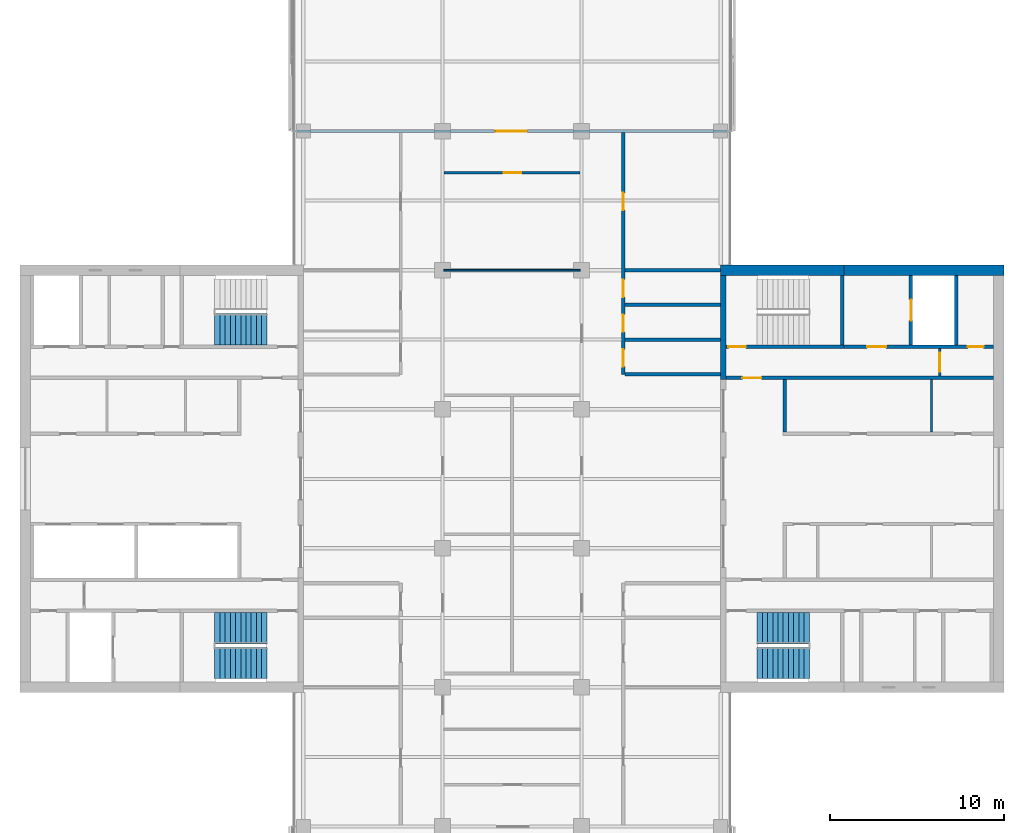
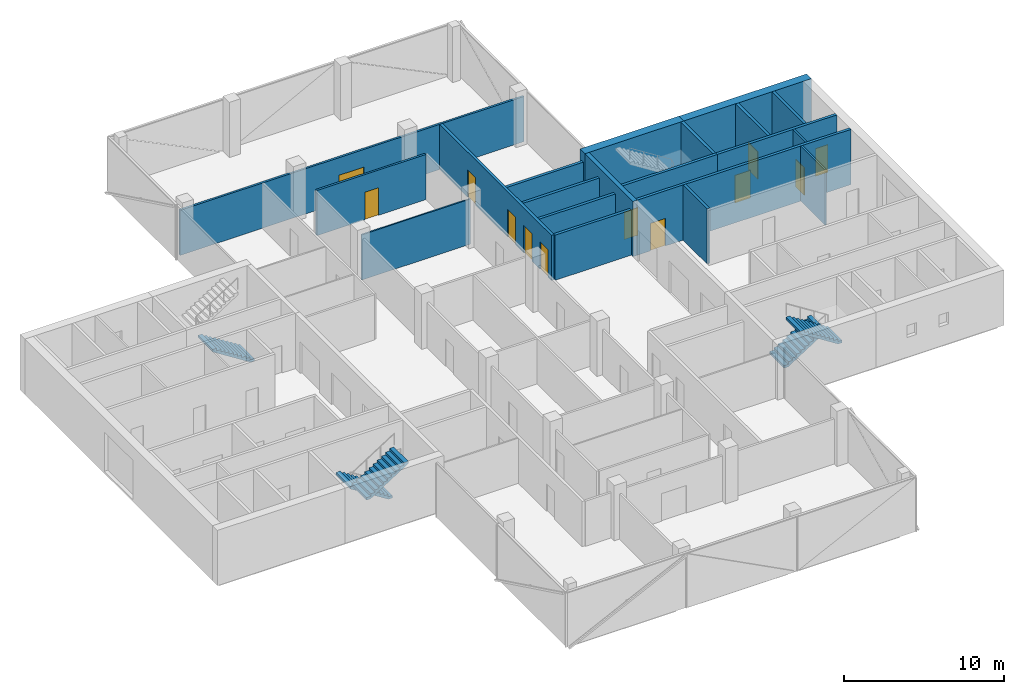
# One storey, part 12 of 16: 20 walls, 12 doors, 5 stair flights, 12 openings, 3 elements without a shape of their own.
"""IFC4 building model written with IfcOpenShell, lengths in metres."""

from ifc_helpers import new_model, si_unit, direction, frame, frame_2d, origin, place, context, subcontext, project, spatial, polyline, rectangle, outline, extrude, material, layer, layer_set, constituent, constituent_set, type_object, element, fill, aggregate, save


model = new_model("IFC4")

# Units and contexts
model_context = context("Model", 3, precision=1e-05, world=origin(), true_north=direction((0.0, 1.0)))
body_context = subcontext(model_context, "Body", "Model", "MODEL_VIEW")
ifc_project = project(units=[si_unit("LENGTHUNIT", "METRE"), si_unit("AREAUNIT", "SQUARE_METRE"), si_unit("VOLUMEUNIT", "CUBIC_METRE"), si_unit("PLANEANGLEUNIT", "RADIAN"), si_unit("MASSUNIT", "GRAM", prefix="KILO")], contexts=[model_context])

# Site, building, storey
site_placement = place(None, origin())
site = spatial("IfcSite", under=ifc_project, at=site_placement, CompositionType="ELEMENT")
building_placement = place(site_placement, origin())
building = spatial("IfcBuilding", under=site, at=building_placement, Name="Crosswind Convention Tower", CompositionType="ELEMENT")
storey_placement = place(building_placement, frame((0.0, 0.0, 216.699951171875)))
storey = spatial("IfcBuildingStorey", under=building, at=storey_placement, Name="L46", CompositionType="ELEMENT", Elevation=216.699951171875)

# Wall, openings, doors
ifc_material_1 = material(Name="Concrete blockwork", Category="masonry")
ifc_layer_1 = layer(ifc_material_1, 0.199951171875)
ifc_layer_set_1 = layer_set([ifc_layer_1], Name="COMPARTMENT WALL 200 BLOCKWORK")
wall_type_1 = type_object("IfcWallType", Name="COMPARTMENT WALL 200 BLOCKWORK", PredefinedType="SOLIDWALL", material=ifc_layer_set_1)
wall_1_placement = place(storey_placement, frame((131.39990234375, 106.0, 0.0), z_axis=(0.0, 0.0, 1.0), x_axis=(0.0, 1.0, 0.0)))
wall_1 = element("IfcWall", 1, at=wall_1_placement, inside=storey, type_object=wall_type_1, Name="Compartment wall WT42", PredefinedType="SOLIDWALL", context=body_context, shape_type="SweptSolid", body=[
    extrude(rectangle(XDim=13.925048828125, YDim=0.199951171875, at=frame_2d((6.96240234375, 0.0))), origin(), (0.0, 0.0, 1.0), 3.43994140625),
])
opening_1_placement = place(wall_1_placement, frame((0.449951171875, 0.0, 0.0)))
opening_1 = element("IfcOpeningElement", 2, at=opening_1_placement, cuts=wall_1, Name="Opening L46-50", PredefinedType="OPENING", context=body_context, shape_type="SweptSolid", body=[
    extrude(rectangle(XDim=1.0, YDim=2.10009765625, at=frame_2d((0.5, 1.050048828125))), frame((0.0, 0.10986328125, 0.0), z_axis=(0.0, -1.0, 0.0), x_axis=(1.0, 0.0, 0.0)), (0.0, 0.0, 1.0), 0.219970703125),
])
opening_2_placement = place(wall_1_placement, frame((2.449951171875, 0.0, 0.0)))
opening_2 = element("IfcOpeningElement", 3, at=opening_2_placement, cuts=wall_1, Name="Opening L46-51", PredefinedType="OPENING", context=body_context, shape_type="SweptSolid", body=[
    extrude(rectangle(XDim=1.0, YDim=2.10009765625, at=frame_2d((0.5, 1.050048828125))), frame((0.0, 0.10986328125, 0.0), z_axis=(0.0, -1.0, 0.0), x_axis=(1.0, 0.0, 0.0)), (0.0, 0.0, 1.0), 0.219970703125),
])
opening_3_placement = place(wall_1_placement, frame((4.449951171875, 0.0, 0.0)))
opening_3 = element("IfcOpeningElement", 4, at=opening_3_placement, cuts=wall_1, Name="Opening L46-52", PredefinedType="OPENING", context=body_context, shape_type="SweptSolid", body=[
    extrude(rectangle(XDim=1.0, YDim=2.10009765625, at=frame_2d((0.5, 1.050048828125))), frame((0.0, 0.10986328125, 0.0), z_axis=(0.0, -1.0, 0.0), x_axis=(1.0, 0.0, 0.0)), (0.0, 0.0, 1.0), 0.219970703125),
])
opening_4_placement = place(wall_1_placement, frame((9.449951171875, 0.0, 0.0)))
opening_4 = element("IfcOpeningElement", 5, at=opening_4_placement, cuts=wall_1, Name="Opening L46-53", PredefinedType="OPENING", context=body_context, shape_type="SweptSolid", body=[
    extrude(rectangle(XDim=1.0, YDim=2.10009765625, at=frame_2d((0.5, 1.050048828125))), frame((0.0, 0.10986328125, 0.0), z_axis=(0.0, -1.0, 0.0), x_axis=(1.0, 0.0, 0.0)), (0.0, 0.0, 1.0), 0.219970703125),
])
ifc_material_2 = material(Name="Steel fire door", Category="steel")
door_type_1 = type_object("IfcDoorType", Name="PLANT ROOM DOOR 1000X2100 FD60", OperationType="NOTDEFINED", PredefinedType="DOOR", material=ifc_material_2)
door_1_placement = place(opening_1_placement, frame((1.0, 0.0, 0.0), z_axis=(0.0, 0.0, 1.0), x_axis=(-1.0, 0.0, 0.0)))
door_1 = element("IfcDoor", 6, at=door_1_placement, inside=storey, type_object=door_type_1, Name="Door L46-50", ObjectType="D43", OperationType="SINGLE_SWING_RIGHT", OverallHeight=2.10009765625, OverallWidth=1.0, PredefinedType="DOOR", context=body_context, shape_type="SweptSolid", body=[
    extrude(rectangle(XDim=1.0, YDim=2.10009765625, at=frame_2d((0.5, 1.050048828125))), frame((0.0, 0.02490234375, 0.0), z_axis=(0.0, -1.0, 0.0), x_axis=(1.0, 0.0, 0.0)), (0.0, 0.0, 1.0), 0.050048828125),
])
fill(opening_1, door_1)
door_2_placement = place(opening_3_placement, frame((1.0, 0.0, 0.0), z_axis=(0.0, 0.0, 1.0), x_axis=(-1.0, 0.0, 0.0)))
door_2 = element("IfcDoor", 7, at=door_2_placement, inside=storey, type_object=door_type_1, Name="Door L46-52", ObjectType="D43", OperationType="SINGLE_SWING_RIGHT", OverallHeight=2.10009765625, OverallWidth=1.0, PredefinedType="DOOR", context=body_context, shape_type="SweptSolid", body=[
    extrude(rectangle(XDim=1.0, YDim=2.10009765625, at=frame_2d((0.5, 1.050048828125))), frame((0.0, 0.02490234375, 0.0), z_axis=(0.0, -1.0, 0.0), x_axis=(1.0, 0.0, 0.0)), (0.0, 0.0, 1.0), 0.050048828125),
])
fill(opening_3, door_2)
ifc_material_3 = material(Name="Timber fire door", Category="wood")
door_type_2 = type_object("IfcDoorType", Name="TENANCY ENTRANCE DOOR 1000X2100 FD30S", OperationType="NOTDEFINED", PredefinedType="DOOR", material=ifc_material_3)
door_3_placement = place(opening_2_placement, frame((1.0, 0.0, 0.0), z_axis=(0.0, 0.0, 1.0), x_axis=(-1.0, 0.0, 0.0)))
door_3 = element("IfcDoor", 8, at=door_3_placement, inside=storey, type_object=door_type_2, Name="Door L46-51", ObjectType="D41", OperationType="SINGLE_SWING_RIGHT", OverallHeight=2.10009765625, OverallWidth=1.0, PredefinedType="DOOR", context=body_context, shape_type="SweptSolid", body=[
    extrude(rectangle(XDim=1.0, YDim=2.10009765625, at=frame_2d((0.5, 1.050048828125))), frame((0.0, 0.02490234375, 0.0), z_axis=(0.0, -1.0, 0.0), x_axis=(1.0, 0.0, 0.0)), (0.0, 0.0, 1.0), 0.050048828125),
])
fill(opening_2, door_3)
door_4_placement = place(opening_4_placement, frame((1.0, 0.0, 0.0), z_axis=(0.0, 0.0, 1.0), x_axis=(-1.0, 0.0, 0.0)))
door_4 = element("IfcDoor", 9, at=door_4_placement, inside=storey, type_object=door_type_2, Name="Door L46-53", ObjectType="D41", OperationType="SINGLE_SWING_RIGHT", OverallHeight=2.10009765625, OverallWidth=1.0, PredefinedType="DOOR", context=body_context, shape_type="SweptSolid", body=[
    extrude(rectangle(XDim=1.0, YDim=2.10009765625, at=frame_2d((0.5, 1.050048828125))), frame((0.0, 0.02490234375, 0.0), z_axis=(0.0, -1.0, 0.0), x_axis=(1.0, 0.0, 0.0)), (0.0, 0.0, 1.0), 0.050048828125),
])
fill(opening_4, door_4)

# Walls
for number, where, z_axis, x_axis, name in (
    (10, (131.5, 106.0, 0.0), (0.0, 0.0, 1.0), (1.0, 0.0, 0.0), "Compartment wall WT42"),
    (11, (131.5, 108.0, 0.0), (0.0, 0.0, 1.0), (1.0, 0.0, 0.0), "Compartment wall WT42"),
    (12, (131.5, 110.0, 0.0), (0.0, 0.0, 1.0), (1.0, 0.0, 0.0), "Compartment wall WT42"),
    (13, (131.5, 112.0, 0.0), (0.0, 0.0, 1.0), (1.0, 0.0, 0.0), "Compartment wall WT42"),
):
    element("IfcWall", number, at=place(storey_placement, frame(where, z_axis=z_axis, x_axis=x_axis)), inside=storey, type_object=wall_type_1, Name=name, PredefinedType="SOLIDWALL", context=body_context, shape_type="SweptSolid", body=[
        extrude(rectangle(XDim=5.5, YDim=0.199951171875, at=frame_2d((2.75, 0.0))), origin(), (0.0, 0.0, 1.0), 3.43994140625),
    ])
ifc_material_4 = material(Name="Concrete C50/60", Category="concrete")
ifc_layer_2 = layer(ifc_material_4, 0.300048828125)
ifc_layer_set_2 = layer_set([ifc_layer_2], Name="Concrete C50/60")
wall_type_2 = type_object("IfcWallType", Name="Concrete inner core wall 300", PredefinedType="SHEAR", material=ifc_layer_set_2)
wall_2_placement = place(storey_placement, frame((137.14990234375, 105.699951171875, 0.0), z_axis=(0.0, 0.0, 1.0), x_axis=(0.0, 1.0, 0.0)))
element("IfcWall", 14, at=wall_2_placement, inside=storey, type_object=wall_type_2, Name="Wall EP E L46", PredefinedType="SHEAR", context=body_context, shape_type="SweptSolid", body=[
    extrude(rectangle(XDim=6.0, YDim=0.300048828125, at=frame_2d((3.0, 0.0))), origin(), (0.0, 0.0, 1.0), 4.199951171875),
])
ifc_layer_3 = layer(ifc_material_4, 0.199951171875)
ifc_layer_set_3 = layer_set([ifc_layer_3], Name="Concrete C50/60")
wall_type_3 = type_object("IfcWallType", Name="Concrete shaft and stair wall 200", PredefinedType="SHEAR", material=ifc_layer_set_3)
wall_3_placement = place(storey_placement, frame((140.699951171875, 102.699951171875, 0.0), z_axis=(0.0, 0.0, 1.0), x_axis=(0.0, 1.0, 0.0)))
element("IfcWall", 15, at=wall_3_placement, inside=storey, type_object=wall_type_3, Name="Wall RPEND E L46", PredefinedType="SHEAR", context=body_context, shape_type="SweptSolid", body=[
    extrude(rectangle(XDim=3.0, YDim=0.199951171875, at=frame_2d((1.5, 0.0))), origin(), (0.0, 0.0, 1.0), 4.199951171875),
])

# Wall, opening, door
wall_4_placement = place(storey_placement, frame((137.300048828125, 105.800048828125, 0.0), z_axis=(0.0, 0.0, 1.0), x_axis=(1.0, 0.0, 0.0)))
wall_4 = element("IfcWall", 16, at=wall_4_placement, inside=storey, type_object=wall_type_3, Name="Wall HP E L46", PredefinedType="SHEAR", context=body_context, shape_type="SweptSolid", body=[
    extrude(rectangle(XDim=15.39990234375, YDim=0.199951171875, at=frame_2d((7.699951171875, 0.0))), origin(), (0.0, 0.0, 1.0), 4.199951171875),
])
opening_5_placement = place(wall_4_placement, frame((0.949951171875, 0.0, 0.0)))
opening_5 = element("IfcOpeningElement", 17, at=opening_5_placement, cuts=wall_4, Name="Opening D104", PredefinedType="OPENING", context=body_context, shape_type="SweptSolid", body=[
    extrude(rectangle(XDim=1.10009765625, YDim=2.10009765625, at=frame_2d((0.550048828125, 1.050048828125))), frame((0.0, 0.10986328125, 0.0), z_axis=(0.0, -1.0, 0.0), x_axis=(1.0, 0.0, 0.0)), (0.0, 0.0, 1.0), 0.219970703125),
])
door_type_3 = type_object("IfcDoorType", Name="Fire-rated single door 1100x2100", OperationType="NOTDEFINED", PredefinedType="DOOR", material=ifc_material_2)
door_5_placement = place(opening_5_placement, origin())
door_5 = element("IfcDoor", 18, at=door_5_placement, inside=storey, type_object=door_type_3, Name="Corridor door L46", ObjectType="D104", OperationType="SINGLE_SWING_LEFT", OverallHeight=2.10009765625, OverallWidth=1.10009765625, PredefinedType="DOOR", context=body_context, shape_type="SweptSolid", body=[
    extrude(rectangle(XDim=1.10009765625, YDim=2.10009765625, at=frame_2d((0.550048828125, 1.050048828125))), frame((0.0, 0.02490234375, 0.0), z_axis=(0.0, -1.0, 0.0), x_axis=(1.0, 0.0, 0.0)), (0.0, 0.0, 1.0), 0.050048828125),
])
fill(opening_5, door_5)

# Wall
wall_5_placement = place(storey_placement, frame((144.0, 107.699951171875, 0.0), z_axis=(0.0, 0.0, 1.0), x_axis=(0.0, 1.0, 0.0)))
element("IfcWall", 19, at=wall_5_placement, inside=storey, type_object=wall_type_3, Name="Wall PSE E L46", PredefinedType="SHEAR", context=body_context, shape_type="SweptSolid", body=[
    extrude(rectangle(XDim=4.0, YDim=0.199951171875, at=frame_2d((2.0, 0.0))), origin(), (0.0, 0.0, 1.0), 4.199951171875),
])

# Wall, opening, door
wall_6_placement = place(storey_placement, frame((147.949951171875, 107.699951171875, 0.0), z_axis=(0.0, 0.0, 1.0), x_axis=(0.0, 1.0, 0.0)))
wall_6 = element("IfcWall", 20, at=wall_6_placement, inside=storey, type_object=wall_type_3, Name="Wall PFLW E L46", PredefinedType="SHEAR", context=body_context, shape_type="SweptSolid", body=[
    extrude(rectangle(XDim=4.0, YDim=0.199951171875, at=frame_2d((2.0, 0.0))), origin(), (0.0, 0.0, 1.0), 4.199951171875),
])
opening_6_placement = place(wall_6_placement, frame((1.39990234375, 0.0, 0.0)))
opening_6 = element("IfcOpeningElement", 21, at=opening_6_placement, cuts=wall_6, Name="Opening LD1", PredefinedType="OPENING", context=body_context, shape_type="SweptSolid", body=[
    extrude(rectangle(XDim=1.199951171875, YDim=2.10009765625, at=frame_2d((0.60009765625, 1.050048828125))), frame((0.0, 0.10986328125, 0.0), z_axis=(0.0, -1.0, 0.0), x_axis=(1.0, 0.0, 0.0)), (0.0, 0.0, 1.0), 0.219970703125),
])
ifc_material_5 = material(Name="Stainless steel", Category="steel")
door_type_4 = type_object("IfcDoorType", Name="Lift landing door 1200x2100", OperationType="DOUBLE_DOOR_SLIDING", PredefinedType="DOOR", material=ifc_material_5)
door_6_placement = place(opening_6_placement, origin())
door_6 = element("IfcDoor", 22, at=door_6_placement, inside=storey, type_object=door_type_4, Name="Landing door FF1 L46", ObjectType="LD1", OperationType="DOUBLE_DOOR_SLIDING", OverallHeight=2.10009765625, OverallWidth=1.199951171875, PredefinedType="DOOR", context=body_context, shape_type="SweptSolid", body=[
    extrude(rectangle(XDim=1.199951171875, YDim=2.10009765625, at=frame_2d((0.60009765625, 1.050048828125))), frame((0.0, 0.02490234375, 0.0), z_axis=(0.0, -1.0, 0.0), x_axis=(1.0, 0.0, 0.0)), (0.0, 0.0, 1.0), 0.050048828125),
])
fill(opening_6, door_6)

# Wall
wall_7_placement = place(storey_placement, frame((150.550048828125, 107.699951171875, 0.0), z_axis=(0.0, 0.0, 1.0), x_axis=(0.0, 1.0, 0.0)))
element("IfcWall", 23, at=wall_7_placement, inside=storey, type_object=wall_type_3, Name="Wall PFSE E L46", PredefinedType="SHEAR", context=body_context, shape_type="SweptSolid", body=[
    extrude(rectangle(XDim=4.0, YDim=0.199951171875, at=frame_2d((2.0, 0.0))), origin(), (0.0, 0.0, 1.0), 4.199951171875),
])

# Wall, opening, door
wall_8_placement = place(storey_placement, frame((137.300048828125, 107.60009765625, 0.0), z_axis=(0.0, 0.0, 1.0), x_axis=(1.0, 0.0, 0.0)))
wall_8 = element("IfcWall", 24, at=wall_8_placement, inside=storey, type_object=wall_type_3, Name="Wall PCW E L46", PredefinedType="SHEAR", context=body_context, shape_type="SweptSolid", body=[
    extrude(rectangle(XDim=6.800048828125, YDim=0.199951171875, at=frame_2d((3.39990234375, 0.0))), origin(), (0.0, 0.0, 1.0), 4.199951171875),
])
opening_7_placement = place(wall_8_placement, frame((0.14990234375, 0.0, 0.0)))
opening_7 = element("IfcOpeningElement", 25, at=opening_7_placement, cuts=wall_8, Name="Opening D103", PredefinedType="OPENING", context=body_context, shape_type="SweptSolid", body=[
    extrude(rectangle(XDim=1.0, YDim=2.10009765625, at=frame_2d((0.5, 1.050048828125))), frame((0.0, 0.10986328125, 0.0), z_axis=(0.0, -1.0, 0.0), x_axis=(1.0, 0.0, 0.0)), (0.0, 0.0, 1.0), 0.219970703125),
])
door_type_5 = type_object("IfcDoorType", Name="Fire-rated single door 1000x2100", OperationType="NOTDEFINED", PredefinedType="DOOR", material=ifc_material_2)
door_7_placement = place(opening_7_placement, origin())
door_7 = element("IfcDoor", 26, at=door_7_placement, inside=storey, type_object=door_type_5, Name="Stair ST1 door L46", ObjectType="D103", OperationType="SINGLE_SWING_LEFT", OverallHeight=2.10009765625, OverallWidth=1.0, PredefinedType="DOOR", context=body_context, shape_type="SweptSolid", body=[
    extrude(rectangle(XDim=1.0, YDim=2.10009765625, at=frame_2d((0.5, 1.050048828125))), frame((0.0, 0.02490234375, 0.0), z_axis=(0.0, -1.0, 0.0), x_axis=(1.0, 0.0, 0.0)), (0.0, 0.0, 1.0), 0.050048828125),
])
fill(opening_7, door_7)

# Wall, openings, doors
wall_9_placement = place(storey_placement, frame((144.10009765625, 107.60009765625, 0.0), z_axis=(0.0, 0.0, 1.0), x_axis=(1.0, 0.0, 0.0)))
wall_9 = element("IfcWall", 27, at=wall_9_placement, inside=storey, type_object=wall_type_3, Name="Wall PCX E L46", PredefinedType="SHEAR", context=body_context, shape_type="SweptSolid", body=[
    extrude(rectangle(XDim=8.599853515625, YDim=0.199951171875, at=frame_2d((4.2998046875, 0.0))), origin(), (0.0, 0.0, 1.0), 4.199951171875),
])
opening_8_placement = place(wall_9_placement, frame((1.324951171875, 0.0, 0.0)))
opening_8 = element("IfcOpeningElement", 28, at=opening_8_placement, cuts=wall_9, Name="Opening D104", PredefinedType="OPENING", context=body_context, shape_type="SweptSolid", body=[
    extrude(rectangle(XDim=1.10009765625, YDim=2.10009765625, at=frame_2d((0.550048828125, 1.050048828125))), frame((0.0, 0.10986328125, 0.0), z_axis=(0.0, -1.0, 0.0), x_axis=(1.0, 0.0, 0.0)), (0.0, 0.0, 1.0), 0.219970703125),
])
opening_9_placement = place(wall_9_placement, frame((7.125, 0.0, 0.0)))
opening_9 = element("IfcOpeningElement", 29, at=opening_9_placement, cuts=wall_9, Name="Opening D106", PredefinedType="OPENING", context=body_context, shape_type="SweptSolid", body=[
    extrude(rectangle(XDim=0.89990234375, YDim=2.10009765625, at=frame_2d((0.449951171875, 1.050048828125))), frame((0.0, 0.10986328125, 0.0), z_axis=(0.0, -1.0, 0.0), x_axis=(1.0, 0.0, 0.0)), (0.0, 0.0, 1.0), 0.219970703125),
])
door_8_placement = place(opening_8_placement, origin())
door_8 = element("IfcDoor", 30, at=door_8_placement, inside=storey, type_object=door_type_3, Name="Fire-fighting lobby FF1 door L46", ObjectType="D104", OperationType="SINGLE_SWING_RIGHT", OverallHeight=2.10009765625, OverallWidth=1.10009765625, PredefinedType="DOOR", context=body_context, shape_type="SweptSolid", body=[
    extrude(rectangle(XDim=1.10009765625, YDim=2.10009765625, at=frame_2d((0.550048828125, 1.050048828125))), frame((0.0, 0.02490234375, 0.0), z_axis=(0.0, -1.0, 0.0), x_axis=(1.0, 0.0, 0.0)), (0.0, 0.0, 1.0), 0.050048828125),
])
fill(opening_8, door_8)
ifc_material_6 = material(Name="Timber door", Category="wood")
door_type_6 = type_object("IfcDoorType", Name="Single leaf door 900x2100", OperationType="NOTDEFINED", PredefinedType="DOOR", material=ifc_material_6)
door_9_placement = place(opening_9_placement, origin())
door_9 = element("IfcDoor", 31, at=door_9_placement, inside=storey, type_object=door_type_6, Name="Door to telecoms room L46", ObjectType="D106", OperationType="SINGLE_SWING_RIGHT", OverallHeight=2.10009765625, OverallWidth=0.89990234375, PredefinedType="DOOR", context=body_context, shape_type="SweptSolid", body=[
    extrude(rectangle(XDim=0.89990234375, YDim=2.10009765625, at=frame_2d((0.449951171875, 1.050048828125))), frame((0.0, 0.02490234375, 0.0), z_axis=(0.0, -1.0, 0.0), x_axis=(1.0, 0.0, 0.0)), (0.0, 0.0, 1.0), 0.050048828125),
])
fill(opening_9, door_9)

# Wall
ifc_material_7 = material(Name="Gypsum plasterboard partition", Category="gypsum")
ifc_layer_4 = layer(ifc_material_7, 0.125)
ifc_layer_set_4 = layer_set([ifc_layer_4], Name="Drywall partition wall 125")
wall_type_4 = type_object("IfcWallType", Name="Drywall partition wall 125", PredefinedType="PARTITIONING", material=ifc_layer_set_4)
wall_10_placement = place(storey_placement, frame((149.1298828125, 102.699951171875, 0.0), z_axis=(0.0, 0.0, 1.0), x_axis=(0.0, 1.0, 0.0)))
element("IfcWall", 32, at=wall_10_placement, inside=storey, type_object=wall_type_4, Name="Wall RPP1 E L46", PredefinedType="PARTITIONING", context=body_context, shape_type="SweptSolid", body=[
    extrude(rectangle(XDim=3.0, YDim=0.125, at=frame_2d((1.5, 0.0))), origin(), (0.0, 0.0, 1.0), 4.199951171875),
])

# Wall, opening, door
wall_11_placement = place(storey_placement, frame((149.60009765625, 105.89990234375, 0.0), z_axis=(0.0, 0.0, 1.0), x_axis=(0.0, 1.0, 0.0)))
wall_11 = element("IfcWall", 33, at=wall_11_placement, inside=storey, type_object=wall_type_4, Name="Wall PXC1 E L46", PredefinedType="PARTITIONING", context=body_context, shape_type="SweptSolid", body=[
    extrude(rectangle(XDim=1.60009765625, YDim=0.125, at=frame_2d((0.800048828125, 0.0))), origin(), (0.0, 0.0, 1.0), 4.199951171875),
])
opening_10_placement = place(wall_11_placement, frame((0.25, 0.0, 0.0)))
opening_10 = element("IfcOpeningElement", 34, at=opening_10_placement, cuts=wall_11, Name="Opening D104", PredefinedType="OPENING", context=body_context, shape_type="SweptSolid", body=[
    extrude(rectangle(XDim=1.10009765625, YDim=2.10009765625, at=frame_2d((0.550048828125, 1.050048828125))), frame((0.0, 0.072509765625, 0.0), z_axis=(0.0, -1.0, 0.0), x_axis=(1.0, 0.0, 0.0)), (0.0, 0.0, 1.0), 0.14501953125),
])
door_10_placement = place(opening_10_placement, origin())
door_10 = element("IfcDoor", 35, at=door_10_placement, inside=storey, type_object=door_type_3, Name="Corridor smoke door L46", ObjectType="D104", OperationType="SINGLE_SWING_RIGHT", OverallHeight=2.10009765625, OverallWidth=1.10009765625, PredefinedType="DOOR", context=body_context, shape_type="SweptSolid", body=[
    extrude(rectangle(XDim=1.10009765625, YDim=2.10009765625, at=frame_2d((0.550048828125, 1.050048828125))), frame((0.0, 0.02490234375, 0.0), z_axis=(0.0, -1.0, 0.0), x_axis=(1.0, 0.0, 0.0)), (0.0, 0.0, 1.0), 0.050048828125),
])
fill(opening_10, door_10)

# Wall
ifc_material_8 = material(Name="Plasterboard partition", Category="gypsum")
ifc_layer_5 = layer(ifc_material_8, 0.10009765625)
ifc_layer_set_5 = layer_set([ifc_layer_5], Name="PARTITION 100 METAL STUD")
wall_type_5 = type_object("IfcWallType", Name="PARTITION 100 METAL STUD", PredefinedType="PARTITIONING", material=ifc_layer_set_5)
wall_12_placement = place(storey_placement, frame((121.074951171875, 112.0, 0.0), z_axis=(0.0, 0.0, 1.0), x_axis=(1.0, 0.0, 0.0)))
element("IfcWall", 36, at=wall_12_placement, inside=storey, type_object=wall_type_5, Name="Partition wall WT40", PredefinedType="PARTITIONING", context=body_context, shape_type="SweptSolid", body=[
    extrude(rectangle(XDim=7.85009765625, YDim=0.10009765625, at=frame_2d((3.925048828125, 0.0))), origin(), (0.0, 0.0, 1.0), 3.43994140625),
])

# Wall, opening, door
ifc_material_9 = material(Name="Fire-board partition with mineral wool", Category="gypsum")
ifc_layer_6 = layer(ifc_material_9, 0.14990234375)
ifc_layer_set_6 = layer_set([ifc_layer_6], Name="TENANCY WALL 150 TWO-HOUR BOARD")
wall_type_6 = type_object("IfcWallType", Name="TENANCY WALL 150 TWO-HOUR BOARD", PredefinedType="PARTITIONING", material=ifc_layer_set_6)
wall_13_placement = place(storey_placement, frame((121.074951171875, 117.60009765625, 0.0), z_axis=(0.0, 0.0, 1.0), x_axis=(1.0, 0.0, 0.0)))
wall_13 = element("IfcWall", 37, at=wall_13_placement, inside=storey, type_object=wall_type_6, Name="Tenancy wall WT41", PredefinedType="PARTITIONING", context=body_context, shape_type="SweptSolid", body=[
    extrude(rectangle(XDim=7.85009765625, YDim=0.14990234375, at=frame_2d((3.925048828125, 0.0))), origin(), (0.0, 0.0, 1.0), 3.43994140625),
])
opening_11_placement = place(wall_13_placement, frame((3.449951171875, 0.0, 0.0)))
opening_11 = element("IfcOpeningElement", 38, at=opening_11_placement, cuts=wall_13, Name="Opening L46-72", PredefinedType="OPENING", context=body_context, shape_type="SweptSolid", body=[
    extrude(rectangle(XDim=1.0, YDim=2.10009765625, at=frame_2d((0.5, 1.050048828125))), frame((0.0, 0.0849609375, 0.0), z_axis=(0.0, -1.0, 0.0), x_axis=(1.0, 0.0, 0.0)), (0.0, 0.0, 1.0), 0.169921875),
])
door_11_placement = place(opening_11_placement, frame((1.0, 0.0, 0.0), z_axis=(0.0, 0.0, 1.0), x_axis=(-1.0, 0.0, 0.0)))
door_11 = element("IfcDoor", 39, at=door_11_placement, inside=storey, type_object=door_type_2, Name="Door L46-72", ObjectType="D41", OperationType="SINGLE_SWING_LEFT", OverallHeight=2.10009765625, OverallWidth=1.0, PredefinedType="DOOR", context=body_context, shape_type="SweptSolid", body=[
    extrude(rectangle(XDim=1.0, YDim=2.10009765625, at=frame_2d((0.5, 1.050048828125))), frame((0.0, 0.02490234375, 0.0), z_axis=(0.0, -1.0, 0.0), x_axis=(1.0, 0.0, 0.0)), (0.0, 0.0, 1.0), 0.050048828125),
])
fill(opening_11, door_11)

wall_14_placement = place(storey_placement, frame((112.6298828125, 120.0, 0.0), z_axis=(0.0, 0.0, 1.0), x_axis=(1.0, 0.0, 0.0)))
wall_14 = element("IfcWall", 40, at=wall_14_placement, inside=storey, type_object=wall_type_6, Name="Tenancy wall WT41", PredefinedType="PARTITIONING", context=body_context, shape_type="SweptSolid", body=[
    extrude(rectangle(XDim=24.740234375, YDim=0.14990234375, at=frame_2d((12.3701171875, 0.0))), origin(), (0.0, 0.0, 1.0), 3.43994140625),
])
opening_12_placement = place(wall_14_placement, frame((11.419921875, 0.0, 0.0)))
opening_12 = element("IfcOpeningElement", 41, at=opening_12_placement, cuts=wall_14, Name="Opening L46-63", PredefinedType="OPENING", context=body_context, shape_type="SweptSolid", body=[
    extrude(rectangle(XDim=1.800048828125, YDim=2.10009765625, at=frame_2d((0.89990234375, 1.050048828125))), frame((0.0, 0.0849609375, 0.0), z_axis=(0.0, -1.0, 0.0), x_axis=(1.0, 0.0, 0.0)), (0.0, 0.0, 1.0), 0.169921875),
])
door_type_7 = type_object("IfcDoorType", Name="TENANCY ENTRANCE DOUBLE DOOR 1800X2100 FD30S", OperationType="DOUBLE_DOOR_SINGLE_SWING", PredefinedType="DOOR", material=ifc_material_3)
door_12_placement = place(opening_12_placement, origin())
door_12 = element("IfcDoor", 42, at=door_12_placement, inside=storey, type_object=door_type_7, Name="Door L46-63", ObjectType="D42", OperationType="DOUBLE_DOOR_SINGLE_SWING", OverallHeight=2.10009765625, OverallWidth=1.800048828125, PredefinedType="DOOR", context=body_context, shape_type="SweptSolid", body=[
    extrude(rectangle(XDim=1.800048828125, YDim=2.10009765625, at=frame_2d((0.89990234375, 1.050048828125))), frame((0.0, 0.02490234375, 0.0), z_axis=(0.0, -1.0, 0.0), x_axis=(1.0, 0.0, 0.0)), (0.0, 0.0, 1.0), 0.050048828125),
])
fill(opening_12, door_12)

# Walls
ifc_material_10 = material(Name="Concrete C60/75", Category="concrete")
ifc_constituent_1 = constituent(ifc_material_10, Name="Structure")
ifc_material_11 = material(Name="Terracotta rainscreen", Category="ceramic")
ifc_constituent_2 = constituent(ifc_material_11, Name="Facing")
ifc_constituent_set = constituent_set(constituents=[ifc_constituent_1, ifc_constituent_2], Name="Concrete C60/75, Terracotta rainscreen")
wall_type_7 = type_object("IfcWallType", Name="Terracotta rainscreen on concrete core wall 600", PredefinedType="SHEAR", material=ifc_constituent_set)
wall_15_placement = place(storey_placement, frame((137.0, 112.0, 0.0), z_axis=(0.0, 0.0, 1.0), x_axis=(1.0, 0.0, 0.0)))
element("IfcWall", 43, at=wall_15_placement, inside=storey, type_object=wall_type_7, Name="Wall N1 E L46", PredefinedType="SHEAR", context=body_context, shape_type="SweptSolid", body=[
    extrude(rectangle(XDim=7.10009765625, YDim=0.60009765625, at=frame_2d((3.550048828125, 0.0))), origin(), (0.0, 0.0, 1.0), 4.199951171875),
])
wall_16_placement = place(storey_placement, frame((144.10009765625, 112.0, 0.0), z_axis=(0.0, 0.0, 1.0), x_axis=(1.0, 0.0, 0.0)))
element("IfcWall", 44, at=wall_16_placement, inside=storey, type_object=wall_type_7, Name="Wall N2 E L46", PredefinedType="SHEAR", context=body_context, shape_type="SweptSolid", body=[
    extrude(rectangle(XDim=9.199951171875, YDim=0.60009765625, at=frame_2d((4.60009765625, 0.0))), origin(), (0.0, 0.0, 1.0), 4.199951171875),
])

# Stair, stair flights
ifc_material_12 = material(Name="Concrete C40/50", Category="concrete")
stair_type = type_object("IfcStairType", Name="Exit stair 1800 wide, 2 flights of 11 risers", PredefinedType="HALF_TURN_STAIR", material=ifc_material_12)
stair_1_placement = place(storey_placement, origin())
stair_1 = element("IfcStair", 45, at=stair_1_placement, inside=storey, type_object=stair_type, Name="Exit stair ST2 L46", ObjectType="ST5", PredefinedType="HALF_TURN_STAIR")
stair_flight_type = type_object("IfcStairFlightType", Name="Stair flight 1800 wide, 11 risers (SF4)", PredefinedType="STRAIGHT", material=ifc_material_12)
stair_flight_1_placement = place(storey_placement, frame((139.10009765625, 91.39990234375, 0.0), z_axis=(0.0, 0.0, 1.0), x_axis=(1.0, 0.0, 0.0)))
stair_flight_1 = element("IfcStairFlight", 46, at=stair_flight_1_placement, type_object=stair_flight_type, Name="ST2 flight 1", NumberOfRisers=11, NumberOfTreads=10, PredefinedType="STRAIGHT", RiserHeight=0.190909091, TreadLength=0.3, context=body_context, shape_type="SweptSolid", body=[
    extrude(outline(polyline([(0.0, 0.0), (0.0, 0.19091796875), (0.300048828125, 0.19091796875), (0.300048828125, 0.3818359375), (0.60009765625, 0.3818359375), (0.60009765625, 0.57275390625), (0.89990234375, 0.57275390625), (0.89990234375, 0.763671875), (1.199951171875, 0.763671875), (1.199951171875, 0.95458984375), (1.5, 0.95458984375), (1.5, 1.1455078125), (1.800048828125, 1.1455078125), (1.800048828125, 1.33642578125), (2.10009765625, 1.33642578125), (2.10009765625, 1.52734375), (2.39990234375, 1.52734375), (2.39990234375, 1.71826171875), (2.699951171875, 1.71826171875), (2.699951171875, 1.9091796875), (3.0, 1.9091796875), (3.0, 2.10009765625), (3.0, 1.7314453125), (0.279296875, 0.0), (0.0, 0.0)])), frame((0.0, 0.89990234375, 0.0), z_axis=(0.0, -1.0, 0.0), x_axis=(1.0, 0.0, 0.0)), (0.0, 0.0, 1.0), 1.800048828125),
])
stair_flight_2_placement = place(storey_placement, frame((142.10009765625, 89.39990234375, 2.10009765625), z_axis=(0.0, 0.0, 1.0), x_axis=(-1.0, 0.0, 0.0)))
stair_flight_2 = element("IfcStairFlight", 47, at=stair_flight_2_placement, type_object=stair_flight_type, Name="ST2 flight 2", NumberOfRisers=11, NumberOfTreads=10, PredefinedType="STRAIGHT", RiserHeight=0.190909091, TreadLength=0.3, context=body_context, shape_type="SweptSolid", body=[
    extrude(outline(polyline([(0.0, 0.0), (0.0, 0.19091796875), (0.300048828125, 0.19091796875), (0.300048828125, 0.3818359375), (0.60009765625, 0.3818359375), (0.60009765625, 0.57275390625), (0.89990234375, 0.57275390625), (0.89990234375, 0.763671875), (1.199951171875, 0.763671875), (1.199951171875, 0.95458984375), (1.5, 0.95458984375), (1.5, 1.1455078125), (1.800048828125, 1.1455078125), (1.800048828125, 1.33642578125), (2.10009765625, 1.33642578125), (2.10009765625, 1.52734375), (2.39990234375, 1.52734375), (2.39990234375, 1.71826171875), (2.699951171875, 1.71826171875), (2.699951171875, 1.9091796875), (3.0, 1.9091796875), (3.0, 2.10009765625), (3.0, 1.7314453125), (0.279296875, 0.0), (0.0, 0.0)])), frame((0.0, 0.89990234375, 0.0), z_axis=(0.0, -1.0, 0.0), x_axis=(1.0, 0.0, 0.0)), (0.0, 0.0, 1.0), 1.800048828125),
])
aggregate(stair_1, [stair_flight_1, stair_flight_2])

stair_2_placement = place(storey_placement, origin())
stair_2 = element("IfcStair", 48, at=stair_2_placement, inside=storey, type_object=stair_type, Name="Exit stair ST3 L46", ObjectType="ST5", PredefinedType="HALF_TURN_STAIR")
stair_flight_3_placement = place(storey_placement, frame((110.89990234375, 91.39990234375, 0.0), z_axis=(0.0, 0.0, 1.0), x_axis=(-1.0, 0.0, 0.0)))
stair_flight_3 = element("IfcStairFlight", 49, at=stair_flight_3_placement, type_object=stair_flight_type, Name="ST3 flight 1", NumberOfRisers=11, NumberOfTreads=10, PredefinedType="STRAIGHT", RiserHeight=0.190909091, TreadLength=0.3, context=body_context, shape_type="SweptSolid", body=[
    extrude(outline(polyline([(0.0, 0.0), (0.0, 0.19091796875), (0.300048828125, 0.19091796875), (0.300048828125, 0.3818359375), (0.60009765625, 0.3818359375), (0.60009765625, 0.57275390625), (0.89990234375, 0.57275390625), (0.89990234375, 0.763671875), (1.199951171875, 0.763671875), (1.199951171875, 0.95458984375), (1.5, 0.95458984375), (1.5, 1.1455078125), (1.800048828125, 1.1455078125), (1.800048828125, 1.33642578125), (2.10009765625, 1.33642578125), (2.10009765625, 1.52734375), (2.39990234375, 1.52734375), (2.39990234375, 1.71826171875), (2.699951171875, 1.71826171875), (2.699951171875, 1.9091796875), (3.0, 1.9091796875), (3.0, 2.10009765625), (3.0, 1.7314453125), (0.279296875, 0.0), (0.0, 0.0)])), frame((0.0, 0.89990234375, 0.0), z_axis=(0.0, -1.0, 0.0), x_axis=(1.0, 0.0, 0.0)), (0.0, 0.0, 1.0), 1.800048828125),
])
stair_flight_4_placement = place(storey_placement, frame((107.89990234375, 89.39990234375, 2.10009765625), z_axis=(0.0, 0.0, 1.0), x_axis=(1.0, 0.0, 0.0)))
stair_flight_4 = element("IfcStairFlight", 50, at=stair_flight_4_placement, type_object=stair_flight_type, Name="ST3 flight 2", NumberOfRisers=11, NumberOfTreads=10, PredefinedType="STRAIGHT", RiserHeight=0.190909091, TreadLength=0.3, context=body_context, shape_type="SweptSolid", body=[
    extrude(outline(polyline([(0.0, 0.0), (0.0, 0.19091796875), (0.300048828125, 0.19091796875), (0.300048828125, 0.3818359375), (0.60009765625, 0.3818359375), (0.60009765625, 0.57275390625), (0.89990234375, 0.57275390625), (0.89990234375, 0.763671875), (1.199951171875, 0.763671875), (1.199951171875, 0.95458984375), (1.5, 0.95458984375), (1.5, 1.1455078125), (1.800048828125, 1.1455078125), (1.800048828125, 1.33642578125), (2.10009765625, 1.33642578125), (2.10009765625, 1.52734375), (2.39990234375, 1.52734375), (2.39990234375, 1.71826171875), (2.699951171875, 1.71826171875), (2.699951171875, 1.9091796875), (3.0, 1.9091796875), (3.0, 2.10009765625), (3.0, 1.7314453125), (0.279296875, 0.0), (0.0, 0.0)])), frame((0.0, 0.89990234375, 0.0), z_axis=(0.0, -1.0, 0.0), x_axis=(1.0, 0.0, 0.0)), (0.0, 0.0, 1.0), 1.800048828125),
])
aggregate(stair_2, [stair_flight_3, stair_flight_4])

# Stair, stair flight
stair_3_placement = place(storey_placement, origin())
stair_3 = element("IfcStair", 51, at=stair_3_placement, inside=storey, type_object=stair_type, Name="Exit stair ST4 L46", ObjectType="ST5", PredefinedType="HALF_TURN_STAIR")
stair_flight_5_placement = place(storey_placement, frame((110.89990234375, 108.60009765625, 0.0), z_axis=(0.0, 0.0, 1.0), x_axis=(-1.0, 0.0, 0.0)))
stair_flight_5 = element("IfcStairFlight", 52, at=stair_flight_5_placement, type_object=stair_flight_type, Name="ST4 flight 1", NumberOfRisers=11, NumberOfTreads=10, PredefinedType="STRAIGHT", RiserHeight=0.190909091, TreadLength=0.3, context=body_context, shape_type="SweptSolid", body=[
    extrude(outline(polyline([(0.0, 0.0), (0.0, 0.19091796875), (0.300048828125, 0.19091796875), (0.300048828125, 0.3818359375), (0.60009765625, 0.3818359375), (0.60009765625, 0.57275390625), (0.89990234375, 0.57275390625), (0.89990234375, 0.763671875), (1.199951171875, 0.763671875), (1.199951171875, 0.95458984375), (1.5, 0.95458984375), (1.5, 1.1455078125), (1.800048828125, 1.1455078125), (1.800048828125, 1.33642578125), (2.10009765625, 1.33642578125), (2.10009765625, 1.52734375), (2.39990234375, 1.52734375), (2.39990234375, 1.71826171875), (2.699951171875, 1.71826171875), (2.699951171875, 1.9091796875), (3.0, 1.9091796875), (3.0, 2.10009765625), (3.0, 1.7314453125), (0.279296875, 0.0), (0.0, 0.0)])), frame((0.0, 0.89990234375, 0.0), z_axis=(0.0, -1.0, 0.0), x_axis=(1.0, 0.0, 0.0)), (0.0, 0.0, 1.0), 1.800048828125),
])
aggregate(stair_3, [stair_flight_5])

save(model, "model.ifc")
